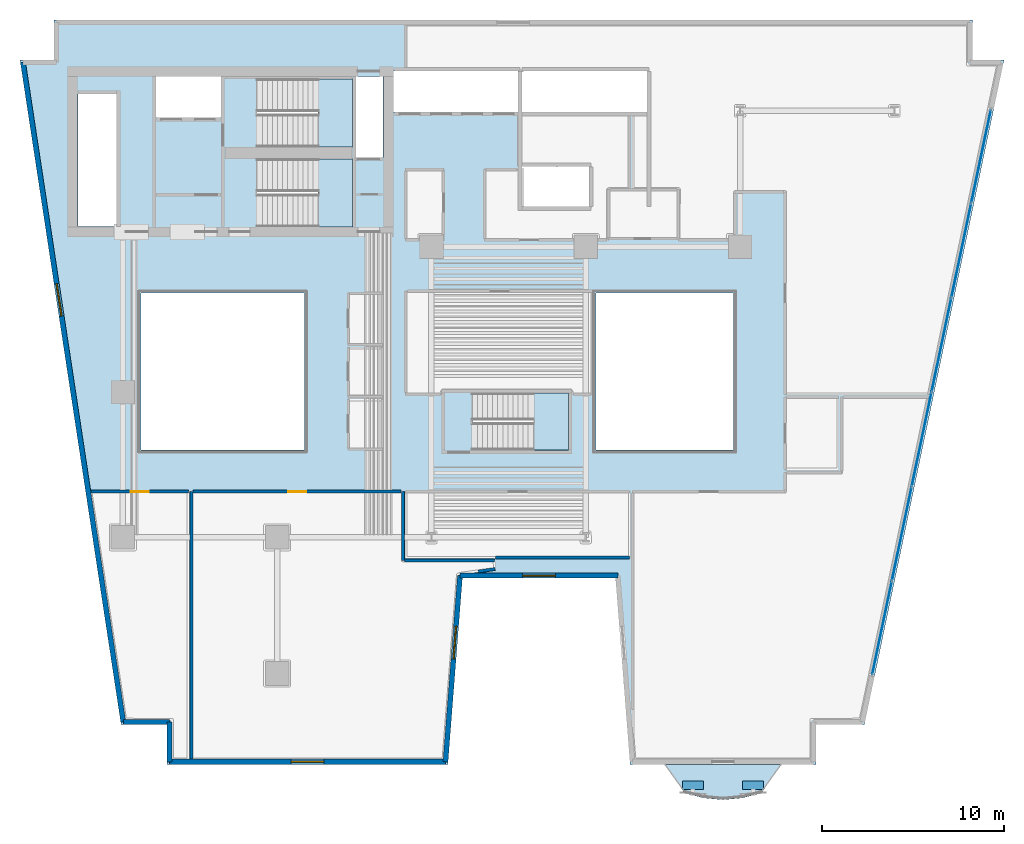
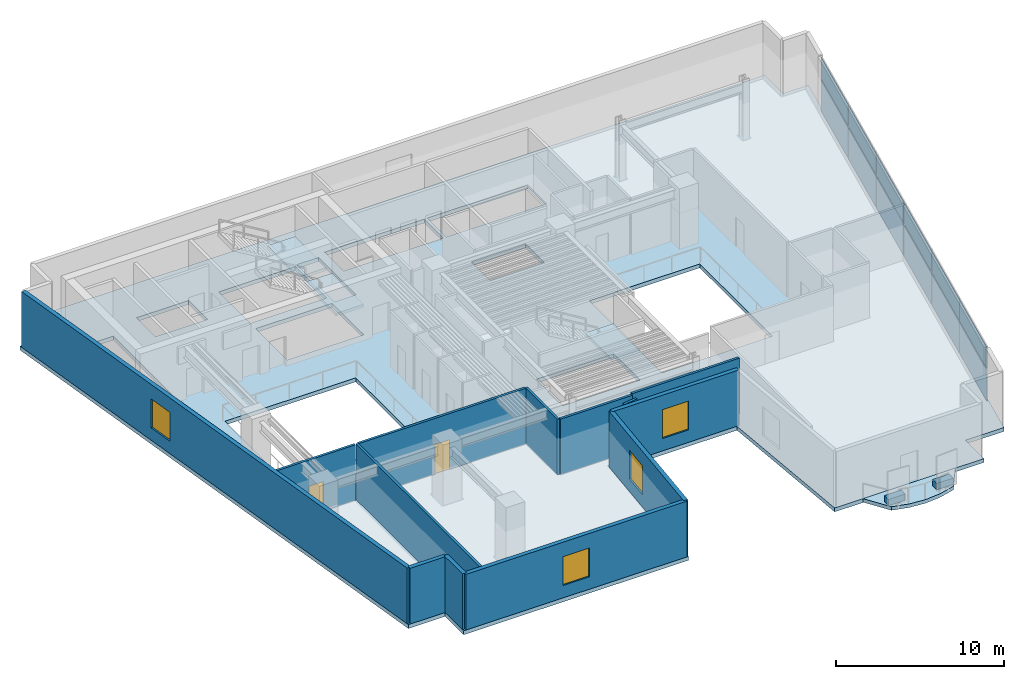
# One storey, part 3 of 11: 14 plates, 13 walls, 5 slabs, 4 windows, 2 doors, 6 openings, 4 elements without a shape of their own.
"""IFC4 building model written with IfcOpenShell, lengths in metres."""

import ifcopenshell
import ifcopenshell.guid

model = None  # the IFC model being written
_history = None  # IfcOwnerHistory: only IFC2X3 demands one
_inside = {}  # id of a spatial element -> (the spatial element, [elements in it])
_under = {}  # id of a project, library or spatial element -> (it, [spatial elements below it])
_declared = {}  # id of a project -> (the project, [libraries it declares])
_typed = {}  # id of a type object -> (the type object, [elements of that type])
_made_of = {}  # id of a material, layer set ... -> (it, [elements and type objects made of it])


def new_model(schema):
    """Start an empty IFC model of exactly this schema.

    Asked for "IFC4X3", IfcOpenShell would pick the latest addendum, in which some entities
    have other attributes; the version numbers below select the first issue.
    IFC2X3 requires an IfcOwnerHistory on every rooted entity: one is made here for all.
    """
    global model, _history
    if schema == "IFC4X3":
        model = ifcopenshell.file(schema_version=(4, 3, 0, 0))
    else:
        model = ifcopenshell.file(schema=schema)
    _inside.clear()
    _under.clear()
    _declared.clear()
    _typed.clear()
    _made_of.clear()
    _history = None
    if model.schema == "IFC2X3":
        org = make("IfcOrganization", Name="unknown")
        user = make(
            "IfcPersonAndOrganization",
            ThePerson=make("IfcPerson", FamilyName="unknown"),
            TheOrganization=org,
        )
        app = make(
            "IfcApplication",
            ApplicationDeveloper=org,
            Version="unknown",
            ApplicationFullName="unknown",
            ApplicationIdentifier="unknown",
        )
        _history = make(
            "IfcOwnerHistory",
            OwningUser=user,
            OwningApplication=app,
            ChangeAction="ADDED",
            CreationDate=0,
        )
    return model


def make(cls, **values):
    """One entity of the class cls with the attributes given. An attribute that is None is left unset."""
    return model.create_entity(
        cls, **{name: value for name, value in values.items() if value is not None}
    )


def rooted(cls, **values):
    """An entity with a GlobalId (a new one), such as an element, a storey or a relation."""
    return make(cls, GlobalId=ifcopenshell.guid.new(), OwnerHistory=_history, **values)


def si_unit(unit_type, name, prefix=None):
    """IfcSIUnit, for example si_unit("LENGTHUNIT", "METRE", prefix="MILLI")."""
    return make("IfcSIUnit", UnitType=unit_type, Prefix=prefix, Name=name)


def assignment(units):
    """IfcUnitAssignment: the units of a project."""
    return None if units is None else make("IfcUnitAssignment", Units=units)


def point(xyz):
    """IfcCartesianPoint."""
    return None if xyz is None else make("IfcCartesianPoint", Coordinates=xyz)


def direction(xyz):
    """IfcDirection."""
    return None if xyz is None else make("IfcDirection", DirectionRatios=xyz)


def frame(location, z_axis=None, x_axis=None):
    """IfcAxis2Placement3D, a coordinate frame: its origin and axes. An axis left out is left unset."""
    return make(
        "IfcAxis2Placement3D",
        Location=point(location),
        Axis=direction(z_axis),
        RefDirection=direction(x_axis),
    )


def frame_2d(location, x_axis=None):
    """IfcAxis2Placement2D, a coordinate frame in the plane: its origin and x axis."""
    return make(
        "IfcAxis2Placement2D", Location=point(location), RefDirection=direction(x_axis)
    )


def origin():
    """The frame at (0, 0, 0) with its axes left unset."""
    return frame((0.0, 0.0, 0.0))


def origin_2d():
    """The frame at (0, 0) in the plane with its x axis left unset."""
    return frame_2d((0.0, 0.0))


def place(relative_to, where):
    """IfcLocalPlacement: puts the frame where relative to a parent placement (None: the world)."""
    return make(
        "IfcLocalPlacement", PlacementRelTo=relative_to, RelativePlacement=where
    )


def context(
    kind, dimensions, precision=None, world=None, true_north=None, identifier=None
):
    """IfcGeometricRepresentationContext, for example the 3D "Model" context."""
    return make(
        "IfcGeometricRepresentationContext",
        ContextIdentifier=identifier,
        ContextType=kind,
        CoordinateSpaceDimension=dimensions,
        Precision=precision,
        WorldCoordinateSystem=world,
        TrueNorth=true_north,
    )


def subcontext(parent, identifier, kind, view, scale=None):
    """IfcGeometricRepresentationSubContext, for example "Body" below "Model"."""
    return make(
        "IfcGeometricRepresentationSubContext",
        ContextIdentifier=identifier,
        ContextType=kind,
        ParentContext=parent,
        TargetScale=scale,
        TargetView=view,
    )


def project(units=None, contexts=None):
    """IfcProject with its units and contexts."""
    return rooted(
        "IfcProject",
        Name="project",
        RepresentationContexts=contexts,
        UnitsInContext=assignment(units),
    )


def spatial(cls, under=None, at=None, **own):
    """A site, building, storey or space (cls), placed at a placement, below another one or the project."""
    s = rooted(cls, ObjectPlacement=at, **own)
    if under is not None:
        _under.setdefault(under.id(), (under, []))[1].append(s)
    return s


def polyline(points):
    """IfcPolyline through the points."""
    return make("IfcPolyline", Points=[point(p) for p in points])


def profile(cls, at=None, kind="AREA", **sizes):
    """A parametric profile (cls). Its sizes go by their IFC names, for example OverallWidth=200.0."""
    return make(cls, ProfileType=kind, Position=at, **sizes)


def rectangle(**sizes):
    """IfcRectangleProfileDef."""
    return profile("IfcRectangleProfileDef", **sizes)


def outline(outer, holes=None, kind="AREA"):
    """IfcArbitraryClosedProfileDef: a profile drawn as a closed curve; with holes, ...WithVoids."""
    if holes is None:
        return make("IfcArbitraryClosedProfileDef", ProfileType=kind, OuterCurve=outer)
    return make(
        "IfcArbitraryProfileDefWithVoids",
        ProfileType=kind,
        OuterCurve=outer,
        InnerCurves=holes,
    )


def extrude(swept, where, along, depth):
    """IfcExtrudedAreaSolid: the profile swept, set in the frame where, extruded along a direction by depth."""
    return make(
        "IfcExtrudedAreaSolid",
        SweptArea=swept,
        Position=where,
        ExtrudedDirection=direction(along),
        Depth=depth,
    )


def shape(context_of_items, identifier, shape_type, items):
    """IfcShapeRepresentation: the items that make up one representation, for example the "Body"."""
    return make(
        "IfcShapeRepresentation",
        ContextOfItems=context_of_items,
        RepresentationIdentifier=identifier,
        RepresentationType=shape_type,
        Items=items,
    )


def material(Name=None, Category=None):
    """IfcMaterial."""
    return make("IfcMaterial", Name=Name, Category=Category)


def layer(
    of_material, thickness, ventilated=None, Name=None, Category=None, Priority=None
):
    """IfcMaterialLayer: one layer of a wall or slab, of a material (None: an air gap)."""
    return make(
        "IfcMaterialLayer",
        Material=of_material,
        LayerThickness=thickness,
        IsVentilated=ventilated,
        Name=Name,
        Category=Category,
        Priority=Priority,
    )


def layer_set(layers, Name=None):
    """IfcMaterialLayerSet."""
    return make("IfcMaterialLayerSet", MaterialLayers=layers, LayerSetName=Name)


def made_of(thing, what):
    """Note that an element or type object is made of a material, layer set ...; save() writes the relation."""
    if what is not None:
        _made_of.setdefault(what.id(), (what, []))[1].append(thing)
    return thing


def type_object(cls, material=None, **own):
    """A type object (cls), such as IfcWallType, which elements share."""
    return made_of(rooted(cls, **own), material)


def element(
    cls,
    number,
    at=None,
    inside=None,
    cuts=None,
    type_object=None,
    material=None,
    context=None,
    identifier="Body",
    shape_type=None,
    held_by="IfcProductDefinitionShape",
    body=None,
    shapes=None,
    **own,
):
    """One element of the class cls, such as IfcWall. Its Tag is "e" and its number.

    at: its placement. inside: the storey or other place that contains it. cuts: it is an
    opening in that element (IfcRelVoidsElement). A single representation is given by context,
    identifier, shape_type and body (its items); several are given by shapes. held_by: the class
    of the entity that holds the representations. save() writes the other relations.
    """
    e = rooted(cls, Tag="e%d" % number, ObjectPlacement=at, **own)
    if body is not None:
        shapes = [shape(context, identifier, shape_type, body)]
    if shapes is not None:
        e.Representation = make(held_by, Representations=shapes)
    if inside is not None:
        _inside.setdefault(inside.id(), (inside, []))[1].append(e)
    if cuts is not None:
        rooted(
            "IfcRelVoidsElement", RelatingBuildingElement=cuts, RelatedOpeningElement=e
        )
    if type_object is not None:
        _typed.setdefault(type_object.id(), (type_object, []))[1].append(e)
    return made_of(e, material)


def fill(opening, filler):
    """IfcRelFillsElement: the door or window that sits in an opening."""
    return rooted(
        "IfcRelFillsElement",
        RelatingOpeningElement=opening,
        RelatedBuildingElement=filler,
    )


def aggregate(whole, parts):
    """IfcRelAggregates: a whole, such as a stair, and the parts it consists of."""
    return rooted("IfcRelAggregates", RelatingObject=whole, RelatedObjects=parts)


def save(model, path):
    """Write the relations noted so far, then the file.

    IfcRelAggregates (storeys below a building ...), IfcRelContainedInSpatialStructure (elements
    in a storey), IfcRelDefinesByType, IfcRelAssociatesMaterial and IfcRelDeclares: one each for
    every whole, place, type object, material and project.
    """
    for whole, parts in _under.values():
        aggregate(whole, parts)
    for where, things in _inside.values():
        rooted(
            "IfcRelContainedInSpatialStructure",
            RelatedElements=things,
            RelatingStructure=where,
        )
    for kind, things in _typed.values():
        rooted("IfcRelDefinesByType", RelatedObjects=things, RelatingType=kind)
    for what, things in _made_of.values():
        rooted("IfcRelAssociatesMaterial", RelatedObjects=things, RelatingMaterial=what)
    for by, libraries in _declared.values():
        rooted("IfcRelDeclares", RelatingContext=by, RelatedDefinitions=libraries)
    model.write(path)


model = new_model("IFC4")

# Units and contexts
model_context = context("Model", 3, precision=1e-05, world=origin(), true_north=direction((0.0, 1.0)))
body_context = subcontext(model_context, "Body", "Model", "MODEL_VIEW")
ifc_project = project(units=[si_unit("LENGTHUNIT", "METRE"), si_unit("AREAUNIT", "SQUARE_METRE"), si_unit("VOLUMEUNIT", "CUBIC_METRE"), si_unit("PLANEANGLEUNIT", "RADIAN"), si_unit("MASSUNIT", "GRAM", prefix="KILO")], contexts=[model_context])

# Site, building, storey
site_placement = place(None, origin())
site = spatial("IfcSite", under=ifc_project, at=site_placement, CompositionType="ELEMENT")
building_placement = place(site_placement, origin())
building = spatial("IfcBuilding", under=site, at=building_placement, Name="Caeloran Harvest Quay", CompositionType="ELEMENT")
storey_placement = place(building_placement, frame((0.0, 0.0, 101.800048828125)))
storey = spatial("IfcBuildingStorey", under=building, at=storey_placement, Name="L23", CompositionType="ELEMENT", Elevation=101.800048828125)

# Slab
ifc_material_1 = material(Name="Concrete C50/60", Category="concrete")
ifc_layer_1 = layer(ifc_material_1, 0.260009765625, Name="Concrete C50/60")
ifc_layer_set_1 = layer_set([ifc_layer_1], Name="Concrete C50/60")
slab_type_1 = type_object("IfcSlabType", Name="BALCONY-BL-260", PredefinedType="FLOOR", material=ifc_layer_set_1)
slab_1_placement = place(storey_placement, frame((0.0, 0.0, -0.260009765625)))
element("IfcSlab", 1, at=slab_1_placement, inside=storey, type_object=slab_type_1, Name="L23 Scalloped Cantilevered Planted Balcony Slab", PredefinedType="FLOOR", context=body_context, shape_type="SweptSolid", body=[
    extrude(outline(polyline([(43.686767578125, 0.917236328125), (42.622802734375, 0.644287109375), (41.55859375, 0.544189453125), (40.494384765625, 0.644287109375), (39.43017578125, 0.917236328125), (38.37939453125, 2.5), (44.73779296875, 2.5), (43.686767578125, 0.917236328125)])), origin(), (0.0, 0.0, 1.0), 0.260009765625),
])

# Curtain wall, plates
ifc_material_2 = material(Name="Aluminium 6063-T6 and Low-E Glazing", Category="aluminium")
ifc_layer_2 = layer(ifc_material_2, 0.199951171875, Name="Aluminium 6063-T6 and Low-E Glazing")
ifc_layer_set_2 = layer_set([ifc_layer_2], Name="Aluminium 6063-T6 and Low-E Glazing")
curtain_wall_type = type_object("IfcCurtainWallType", Name="CW-SYS-CW-2", PredefinedType="USERDEFINED", material=ifc_layer_set_2)
curtain_wall_placement = place(storey_placement, origin())
curtain_wall = element("IfcCurtainWall", 2, at=curtain_wall_placement, inside=storey, type_object=curtain_wall_type, Name="L23 Unitised Curtain Wall CW-2 Run 9", ObjectType="CURTAIN_WALL", PredefinedType="USERDEFINED")
ifc_material_3 = material(Name="Low-E Double Glazed Vision Glass Unit", Category="glass")
ifc_layer_3 = layer(ifc_material_3, 0.035888671875, Name="Low-E Double Glazed Vision Glass Unit")
ifc_layer_set_3 = layer_set([ifc_layer_3], Name="Low-E Double Glazed Vision Glass Unit")
plate_type_1 = type_object("IfcPlateType", Name="CW-VISION-PANEL", PredefinedType="CURTAIN_PANEL", material=ifc_layer_set_3)
plate_1_placement = place(storey_placement, frame((55.780029296875, 35.993408203125, 0.080078125), z_axis=(0.0, 0.0, 1.0), x_axis=(-0.205582960081, -0.978639691881, 0.0)))
plate_1 = element("IfcPlate", 3, at=plate_1_placement, type_object=plate_type_1, Name="CW-2 panel 1.1", PredefinedType="CURTAIN_PANEL", context=body_context, shape_type="SweptSolid", body=[
    extrude(rectangle(XDim=5.19873046875, YDim=0.035888671875, at=origin_2d()), origin(), (0.0, 0.0, 1.0), 2.280029296875),
])
plate_2_placement = place(storey_placement, frame((55.780029296875, 35.993408203125, 2.43994140625), z_axis=(0.0, 0.0, 1.0), x_axis=(-0.205582960081, -0.978639691881, 0.0)))
plate_2 = element("IfcPlate", 4, at=plate_2_placement, type_object=plate_type_1, Name="CW-2 panel 1.2", PredefinedType="CURTAIN_PANEL", context=body_context, shape_type="SweptSolid", body=[
    extrude(rectangle(XDim=5.19873046875, YDim=0.035888671875, at=origin_2d()), origin(), (0.0, 0.0, 1.0), 1.530029296875),
])
plate_3_placement = place(storey_placement, frame((54.690673828125, 30.807861328125, 0.080078125), z_axis=(0.0, 0.0, 1.0), x_axis=(-0.205582960081, -0.978639691881, 0.0)))
plate_3 = element("IfcPlate", 5, at=plate_3_placement, type_object=plate_type_1, Name="CW-2 panel 2.1", PredefinedType="CURTAIN_PANEL", context=body_context, shape_type="SweptSolid", body=[
    extrude(rectangle(XDim=5.23876953125, YDim=0.035888671875, at=origin_2d()), origin(), (0.0, 0.0, 1.0), 2.280029296875),
])
plate_4_placement = place(storey_placement, frame((54.690673828125, 30.807861328125, 2.43994140625), z_axis=(0.0, 0.0, 1.0), x_axis=(-0.205582960081, -0.978639691881, 0.0)))
plate_4 = element("IfcPlate", 6, at=plate_4_placement, type_object=plate_type_1, Name="CW-2 panel 2.2", PredefinedType="CURTAIN_PANEL", context=body_context, shape_type="SweptSolid", body=[
    extrude(rectangle(XDim=5.23876953125, YDim=0.035888671875, at=origin_2d()), origin(), (0.0, 0.0, 1.0), 1.530029296875),
])
plate_5_placement = place(storey_placement, frame((53.59716796875, 25.6025390625, 0.080078125), z_axis=(0.0, 0.0, 1.0), x_axis=(-0.205582960081, -0.978639691881, 0.0)))
plate_5 = element("IfcPlate", 7, at=plate_5_placement, type_object=plate_type_1, Name="CW-2 panel 3.1", PredefinedType="CURTAIN_PANEL", context=body_context, shape_type="SweptSolid", body=[
    extrude(rectangle(XDim=5.23876953125, YDim=0.035888671875, at=origin_2d()), origin(), (0.0, 0.0, 1.0), 2.280029296875),
])
plate_6_placement = place(storey_placement, frame((53.59716796875, 25.6025390625, 2.43994140625), z_axis=(0.0, 0.0, 1.0), x_axis=(-0.205582960081, -0.978639691881, 0.0)))
plate_6 = element("IfcPlate", 8, at=plate_6_placement, type_object=plate_type_1, Name="CW-2 panel 3.2", PredefinedType="CURTAIN_PANEL", context=body_context, shape_type="SweptSolid", body=[
    extrude(rectangle(XDim=5.23876953125, YDim=0.035888671875, at=origin_2d()), origin(), (0.0, 0.0, 1.0), 1.530029296875),
])
plate_7_placement = place(storey_placement, frame((52.503662109375, 20.3974609375, 0.080078125), z_axis=(0.0, 0.0, 1.0), x_axis=(-0.205582960081, -0.978639691881, 0.0)))
plate_7 = element("IfcPlate", 9, at=plate_7_placement, type_object=plate_type_1, Name="CW-2 panel 4.1", PredefinedType="CURTAIN_PANEL", context=body_context, shape_type="SweptSolid", body=[
    extrude(rectangle(XDim=5.23876953125, YDim=0.035888671875, at=origin_2d()), origin(), (0.0, 0.0, 1.0), 2.280029296875),
])
plate_8_placement = place(storey_placement, frame((52.503662109375, 20.3974609375, 2.43994140625), z_axis=(0.0, 0.0, 1.0), x_axis=(-0.205582960081, -0.978639691881, 0.0)))
plate_8 = element("IfcPlate", 10, at=plate_8_placement, type_object=plate_type_1, Name="CW-2 panel 4.2", PredefinedType="CURTAIN_PANEL", context=body_context, shape_type="SweptSolid", body=[
    extrude(rectangle(XDim=5.23876953125, YDim=0.035888671875, at=origin_2d()), origin(), (0.0, 0.0, 1.0), 1.530029296875),
])
plate_9_placement = place(storey_placement, frame((51.41015625, 15.192138671875, 0.080078125), z_axis=(0.0, 0.0, 1.0), x_axis=(-0.205582960081, -0.978639691881, 0.0)))
plate_9 = element("IfcPlate", 11, at=plate_9_placement, type_object=plate_type_1, Name="CW-2 panel 5.1", PredefinedType="CURTAIN_PANEL", context=body_context, shape_type="SweptSolid", body=[
    extrude(rectangle(XDim=5.23876953125, YDim=0.035888671875, at=origin_2d()), origin(), (0.0, 0.0, 1.0), 2.280029296875),
])
plate_10_placement = place(storey_placement, frame((51.41015625, 15.192138671875, 2.43994140625), z_axis=(0.0, 0.0, 1.0), x_axis=(-0.205582960081, -0.978639691881, 0.0)))
plate_10 = element("IfcPlate", 12, at=plate_10_placement, type_object=plate_type_1, Name="CW-2 panel 5.2", PredefinedType="CURTAIN_PANEL", context=body_context, shape_type="SweptSolid", body=[
    extrude(rectangle(XDim=5.23876953125, YDim=0.035888671875, at=origin_2d()), origin(), (0.0, 0.0, 1.0), 1.530029296875),
])
plate_11_placement = place(storey_placement, frame((50.321044921875, 10.006591796875, 0.080078125), z_axis=(0.0, 0.0, 1.0), x_axis=(-0.205582960081, -0.978639691881, 0.0)))
plate_11 = element("IfcPlate", 13, at=plate_11_placement, type_object=plate_type_1, Name="CW-2 panel 6.1", PredefinedType="CURTAIN_PANEL", context=body_context, shape_type="SweptSolid", body=[
    extrude(rectangle(XDim=5.19873046875, YDim=0.035888671875, at=origin_2d()), origin(), (0.0, 0.0, 1.0), 2.280029296875),
])
plate_12_placement = place(storey_placement, frame((50.321044921875, 10.006591796875, 2.43994140625), z_axis=(0.0, 0.0, 1.0), x_axis=(-0.205582960081, -0.978639691881, 0.0)))
plate_12 = element("IfcPlate", 14, at=plate_12_placement, type_object=plate_type_1, Name="CW-2 panel 6.2", PredefinedType="CURTAIN_PANEL", context=body_context, shape_type="SweptSolid", body=[
    extrude(rectangle(XDim=5.19873046875, YDim=0.035888671875, at=origin_2d()), origin(), (0.0, 0.0, 1.0), 1.530029296875),
])
aggregate(curtain_wall, [plate_1, plate_2, plate_3, plate_4, plate_5, plate_6, plate_7, plate_8, plate_9, plate_10, plate_11, plate_12])

# Plates
ifc_material_4 = material(Name="Precast concrete C50/60", Category="concrete")
ifc_layer_4 = layer(ifc_material_4, 0.449951171875, Name="Precast concrete C50/60")
ifc_layer_set_4 = layer_set([ifc_layer_4], Name="Precast concrete C50/60")
plate_type_2 = type_object("IfcPlateType", Name="PLANTER-TROUGH-450", PredefinedType="USERDEFINED", material=ifc_layer_set_4)
for number, where, z_axis, x_axis, name in (
    (15, (43.218505859375, 1.3408203125, 0.0), (0.0, 0.0, 1.0), (1.0, 0.0, 0.0), "L23 Balcony Vertical-Greenery Precast PLANTER Trough 1"),
    (16, (39.8984375, 1.3408203125, 0.0), (0.0, 0.0, 1.0), (1.0, 0.0, 0.0), "L23 Balcony Vertical-Greenery Precast PLANTER Trough 2"),
):
    element("IfcPlate", number, at=place(storey_placement, frame(where, z_axis=z_axis, x_axis=x_axis)), inside=storey, type_object=plate_type_2, Name=name, ObjectType="PLANTER", PredefinedType="USERDEFINED", context=body_context, shape_type="SweptSolid", body=[
        extrude(rectangle(XDim=1.14990234375, YDim=0.47998046875, at=origin_2d()), origin(), (0.0, 0.0, 1.0), 0.449951171875),
    ])

# Slab
ifc_layer_5 = layer(ifc_material_1, 0.284912109375, Name="Concrete C50/60")
ifc_layer_set_5 = layer_set([ifc_layer_5], Name="Concrete C50/60")
slab_type_2 = type_object("IfcSlabType", Name="SLAB-FS-285", PredefinedType="FLOOR", material=ifc_layer_set_5)
slab_2_placement = place(storey_placement, frame((0.0, 0.0, -0.28515625)))
element("IfcSlab", 17, at=slab_2_placement, inside=storey, type_object=slab_type_2, Name="L23 Structural Floor Slab", PredefinedType="FLOOR", context=body_context, shape_type="SweptSolid", body=[
    extrude(outline(polyline([(10.93701171875, 2.5), (26.403076171875, 2.5), (27.202880859375, 12.75), (35.640380859375, 12.75), (36.4404296875, 2.5), (46.68701171875, 2.5), (46.68701171875, 4.699951171875), (49.34912109375, 4.699951171875), (57.037841796875, 41.300048828125), (55.300048828125, 41.300048828125), (55.300048828125, 43.5), (4.699951171875, 43.5), (4.699951171875, 41.300048828125), (2.834716796875, 41.300048828125), (8.40234375, 4.699951171875), (10.93701171875, 4.699951171875), (10.93701171875, 2.5)]), holes=[polyline([(18.5, 19.800048828125), (9.5, 19.800048828125), (9.5, 28.449951171875), (18.5, 28.449951171875), (18.5, 19.800048828125)]), polyline([(15.89990234375, 32.10009765625), (15.89990234375, 35.85009765625), (21.14990234375, 35.85009765625), (21.14990234375, 32.10009765625), (15.89990234375, 32.10009765625)]), polyline([(8.159912109375, 32.1201171875), (6.02001953125, 32.1201171875), (6.02001953125, 39.419921875), (8.159912109375, 39.419921875), (8.159912109375, 32.1201171875)]), polyline([(21.35009765625, 35.919921875), (21.35009765625, 40.3798828125), (22.830078125, 40.3798828125), (22.830078125, 35.919921875), (21.35009765625, 35.919921875)]), polyline([(15.89990234375, 40.25), (21.14990234375, 40.25), (21.14990234375, 36.5), (15.89990234375, 36.5), (15.89990234375, 40.25)]), polyline([(13.89990234375, 38.1201171875), (10.320068359375, 38.1201171875), (10.320068359375, 40.3798828125), (13.89990234375, 40.3798828125), (13.89990234375, 38.1201171875)]), polyline([(27.75, 22.949951171875), (33.050048828125, 22.949951171875), (33.050048828125, 19.800048828125), (27.75, 19.800048828125), (27.75, 22.949951171875)]), polyline([(34.550048828125, 19.800048828125), (34.550048828125, 28.449951171875), (42.14990234375, 28.449951171875), (42.14990234375, 19.800048828125), (34.550048828125, 19.800048828125)]), polyline([(34.199951171875, 33.219970703125), (30.47998046875, 33.219970703125), (30.47998046875, 35.429931640625), (34.199951171875, 35.429931640625), (34.199951171875, 33.219970703125)]), polyline([(23.419921875, 38.419921875), (23.419921875, 40.679931640625), (30.280029296875, 40.679931640625), (30.280029296875, 38.419921875), (23.419921875, 38.419921875)]), polyline([(30.47998046875, 38.419921875), (30.47998046875, 40.679931640625), (37.3798828125, 40.679931640625), (37.3798828125, 38.419921875), (30.47998046875, 38.419921875)])]), origin(), (0.0, 0.0, 1.0), 0.28515625),
])

# Stair, slab
stair_type_1 = type_object("IfcStairType", Name="STAIR-STC-180", PredefinedType="HALF_TURN_STAIR", material=ifc_material_1)
stair_1_placement = place(storey_placement, origin())
stair_1 = element("IfcStair", 18, at=stair_1_placement, inside=storey, type_object=stair_type_1, Name="L23 Core Pressurized Exit Stair ST-C1", PredefinedType="HALF_TURN_STAIR")
ifc_layer_6 = layer(ifc_material_1, 0.219970703125, Name="Concrete C50/60")
ifc_layer_set_6 = layer_set([ifc_layer_6], Name="Concrete C50/60")
slab_type_3 = type_object("IfcSlabType", Name="STAIR-LANDING-220", PredefinedType="LANDING", material=ifc_layer_set_6)
slab_3_placement = place(storey_placement, frame((0.0, 0.0, 2.0)))
slab_3 = element("IfcSlab", 19, at=slab_3_placement, type_object=slab_type_3, Name="ST-C1 landing 1", PredefinedType="LANDING", context=body_context, shape_type="SweptSolid", body=[
    extrude(outline(polyline([(19.260009765625, 36.5), (21.14990234375, 36.5), (21.14990234375, 40.25), (19.260009765625, 40.25), (19.260009765625, 36.5)])), origin(), (0.0, 0.0, 1.0), 0.199951171875),
])
aggregate(stair_1, [slab_3])

stair_2_placement = place(storey_placement, origin())
stair_2 = element("IfcStair", 20, at=stair_2_placement, inside=storey, type_object=stair_type_1, Name="L23 Core Pressurized Exit Stair ST-C2", PredefinedType="HALF_TURN_STAIR")
slab_4_placement = place(storey_placement, frame((0.0, 0.0, 2.0)))
slab_4 = element("IfcSlab", 21, at=slab_4_placement, type_object=slab_type_3, Name="ST-C2 landing 1", PredefinedType="LANDING", context=body_context, shape_type="SweptSolid", body=[
    extrude(outline(polyline([(19.260009765625, 32.10009765625), (21.14990234375, 32.10009765625), (21.14990234375, 35.85009765625), (19.260009765625, 35.85009765625), (19.260009765625, 32.10009765625)])), origin(), (0.0, 0.0, 1.0), 0.199951171875),
])
aggregate(stair_2, [slab_4])

stair_type_2 = type_object("IfcStairType", Name="STAIR-STW-150", PredefinedType="HALF_TURN_STAIR", material=ifc_material_1)
stair_3_placement = place(storey_placement, origin())
stair_3 = element("IfcStair", 22, at=stair_3_placement, inside=storey, type_object=stair_type_2, Name="L23 East Wing Protected Exit Stair ST-W1", PredefinedType="HALF_TURN_STAIR")
slab_5_placement = place(storey_placement, frame((0.0, 0.0, 2.0)))
slab_5 = element("IfcSlab", 23, at=slab_5_placement, type_object=slab_type_3, Name="ST-W1 landing 1", PredefinedType="LANDING", context=body_context, shape_type="SweptSolid", body=[
    extrude(outline(polyline([(31.110107421875, 19.800048828125), (33.050048828125, 19.800048828125), (33.050048828125, 22.949951171875), (31.110107421875, 22.949951171875), (31.110107421875, 19.800048828125)])), origin(), (0.0, 0.0, 1.0), 0.199951171875),
])
aggregate(stair_3, [slab_5])

# Walls
ifc_layer_7 = layer(ifc_material_4, 0.280029296875, Name="Precast concrete C50/60")
ifc_layer_set_7 = layer_set([ifc_layer_7], Name="Precast concrete C50/60")
wall_type_1 = type_object("IfcWallType", Name="ENV-WALL-EW-280", PredefinedType="STANDARD", material=ifc_layer_set_7)
wall_1_placement = place(storey_placement, frame((11.076904296875, 2.639892578125, 0.0), z_axis=(0.0, 0.0, 1.0), x_axis=(0.0, 1.0, 0.0)))
element("IfcWall", 24, at=wall_1_placement, inside=storey, type_object=wall_type_1, Name="L23 Exterior Precast Concrete Facade Wall 1", PredefinedType="STANDARD", context=body_context, shape_type="SweptSolid", body=[
    extrude(rectangle(XDim=2.2001953125, YDim=0.280029296875, at=frame_2d((1.10009765625, 0.0))), origin(), (0.0, 0.0, 1.0), 4.050048828125),
])
wall_2_placement = place(storey_placement, frame((11.076904296875, 4.840087890625, 0.0), z_axis=(0.0, 0.0, 1.0), x_axis=(-1.0, 0.0, 0.0)))
element("IfcWall", 25, at=wall_2_placement, inside=storey, type_object=wall_type_1, Name="L23 Exterior Precast Concrete Facade Wall 2", PredefinedType="STANDARD", context=body_context, shape_type="SweptSolid", body=[
    extrude(rectangle(XDim=2.55419921875, YDim=0.280029296875, at=frame_2d((1.277099609375, 0.0))), origin(), (0.0, 0.0, 1.0), 4.050048828125),
])

# Wall, opening, window
wall_3_placement = place(storey_placement, frame((8.522705078125, 4.840087890625, 0.0), z_axis=(0.0, 0.0, 1.0), x_axis=(-0.150394554312, 0.988626055712, 0.0)))
wall_3 = element("IfcWall", 26, at=wall_3_placement, inside=storey, type_object=wall_type_1, Name="L23 Exterior Precast Concrete Facade Wall 3", PredefinedType="STANDARD", context=body_context, shape_type="SweptSolid", body=[
    extrude(rectangle(XDim=36.73779296875, YDim=0.280029296875, at=frame_2d((18.368896484375, 0.0))), origin(), (0.0, 0.0, 1.0), 4.050048828125),
])
opening_1_placement = place(wall_3_placement, frame((22.612060546875, 0.0, 0.89990234375)))
opening_1 = element("IfcOpeningElement", 27, at=opening_1_placement, cuts=wall_3, Name="Opening W-01", PredefinedType="OPENING", context=body_context, shape_type="SweptSolid", body=[
    extrude(rectangle(XDim=1.800048828125, YDim=2.10009765625, at=frame_2d((0.89990234375, 1.050048828125))), frame((0.0, 0.14990234375, 0.0), z_axis=(0.0, -1.0, 0.0), x_axis=(1.0, 0.0, 0.0)), (0.0, 0.0, 1.0), 0.300048828125),
])
ifc_material_5 = material(Name="Aluminium-Framed Low-E Laminated Glass", Category="aluminium")
window_type = type_object("IfcWindowType", Name="WIN-W-01", PartitioningType="SINGLE_PANEL", PredefinedType="WINDOW", material=ifc_material_5)
window_1_placement = place(opening_1_placement, origin())
window_1 = element("IfcWindow", 28, at=window_1_placement, inside=storey, type_object=window_type, Name="L23 Facade Punched Window W-01", OverallHeight=2.10009765625, OverallWidth=1.800048828125, PartitioningType="SINGLE_PANEL", PredefinedType="WINDOW", context=body_context, shape_type="SweptSolid", body=[
    extrude(rectangle(XDim=1.800048828125, YDim=2.10009765625, at=frame_2d((0.89990234375, 1.050048828125))), frame((0.0, 0.030029296875, 0.0), z_axis=(0.0, -1.0, 0.0), x_axis=(1.0, 0.0, 0.0)), (0.0, 0.0, 1.0), 0.06005859375),
])
fill(opening_1, window_1)

wall_4_placement = place(storey_placement, frame((35.77001953125, 12.889892578125, 0.0), z_axis=(0.0, 0.0, 1.0), x_axis=(-1.0, 0.0, 0.0)))
wall_4 = element("IfcWall", 29, at=wall_4_placement, inside=storey, type_object=wall_type_1, Name="L23 Exterior Precast Concrete Facade Wall 14", PredefinedType="STANDARD", context=body_context, shape_type="SweptSolid", body=[
    extrude(rectangle(XDim=8.696533203125, YDim=0.280029296875, at=frame_2d((4.34814453125, 0.0))), origin(), (0.0, 0.0, 1.0), 4.050048828125),
])
opening_2_placement = place(wall_4_placement, frame((3.447998046875, 0.0, 0.89990234375)))
opening_2 = element("IfcOpeningElement", 30, at=opening_2_placement, cuts=wall_4, Name="Opening W-01", PredefinedType="OPENING", context=body_context, shape_type="SweptSolid", body=[
    extrude(rectangle(XDim=1.800048828125, YDim=2.10009765625, at=frame_2d((0.89990234375, 1.050048828125))), frame((0.0, 0.14990234375, 0.0), z_axis=(0.0, -1.0, 0.0), x_axis=(1.0, 0.0, 0.0)), (0.0, 0.0, 1.0), 0.300048828125),
])
window_2_placement = place(opening_2_placement, origin())
window_2 = element("IfcWindow", 31, at=window_2_placement, inside=storey, type_object=window_type, Name="L23 Facade Punched Window W-01", OverallHeight=2.10009765625, OverallWidth=1.800048828125, PartitioningType="SINGLE_PANEL", PredefinedType="WINDOW", context=body_context, shape_type="SweptSolid", body=[
    extrude(rectangle(XDim=1.800048828125, YDim=2.10009765625, at=frame_2d((0.89990234375, 1.050048828125))), frame((0.0, 0.030029296875, 0.0), z_axis=(0.0, -1.0, 0.0), x_axis=(1.0, 0.0, 0.0)), (0.0, 0.0, 1.0), 0.06005859375),
])
fill(opening_2, window_2)

wall_5_placement = place(storey_placement, frame((27.073486328125, 12.889892578125, 0.0), z_axis=(0.0, 0.0, 1.0), x_axis=(-0.077816860153, -0.996967670627, 0.0)))
wall_5 = element("IfcWall", 32, at=wall_5_placement, inside=storey, type_object=wall_type_1, Name="L23 Exterior Precast Concrete Facade Wall 15", PredefinedType="STANDARD", context=body_context, shape_type="SweptSolid", body=[
    extrude(rectangle(XDim=10.28125, YDim=0.280029296875, at=frame_2d((5.140625, 0.0))), origin(), (0.0, 0.0, 1.0), 4.050048828125),
])
opening_3_placement = place(wall_5_placement, frame((2.801025390625, 0.0, 0.89990234375)))
opening_3 = element("IfcOpeningElement", 33, at=opening_3_placement, cuts=wall_5, Name="Opening W-01", PredefinedType="OPENING", context=body_context, shape_type="SweptSolid", body=[
    extrude(rectangle(XDim=1.800048828125, YDim=2.10009765625, at=frame_2d((0.89990234375, 1.050048828125))), frame((0.0, 0.14990234375, 0.0), z_axis=(0.0, -1.0, 0.0), x_axis=(1.0, 0.0, 0.0)), (0.0, 0.0, 1.0), 0.300048828125),
])
window_3_placement = place(opening_3_placement, origin())
window_3 = element("IfcWindow", 34, at=window_3_placement, inside=storey, type_object=window_type, Name="L23 Facade Punched Window W-01", OverallHeight=2.10009765625, OverallWidth=1.800048828125, PartitioningType="SINGLE_PANEL", PredefinedType="WINDOW", context=body_context, shape_type="SweptSolid", body=[
    extrude(rectangle(XDim=1.800048828125, YDim=2.10009765625, at=frame_2d((0.89990234375, 1.050048828125))), frame((0.0, 0.030029296875, 0.0), z_axis=(0.0, -1.0, 0.0), x_axis=(1.0, 0.0, 0.0)), (0.0, 0.0, 1.0), 0.06005859375),
])
fill(opening_3, window_3)

wall_6_placement = place(storey_placement, frame((26.2734375, 2.639892578125, 0.0), z_axis=(0.0, 0.0, 1.0), x_axis=(-1.0, 0.0, 0.0)))
wall_6 = element("IfcWall", 35, at=wall_6_placement, inside=storey, type_object=wall_type_1, Name="L23 Exterior Precast Concrete Facade Wall 16", PredefinedType="STANDARD", context=body_context, shape_type="SweptSolid", body=[
    extrude(rectangle(XDim=15.196533203125, YDim=0.280029296875, at=frame_2d((7.59814453125, 0.0))), origin(), (0.0, 0.0, 1.0), 4.050048828125),
])
opening_4_placement = place(wall_6_placement, frame((6.697998046875, 0.0, 0.89990234375)))
opening_4 = element("IfcOpeningElement", 36, at=opening_4_placement, cuts=wall_6, Name="Opening W-01", PredefinedType="OPENING", context=body_context, shape_type="SweptSolid", body=[
    extrude(rectangle(XDim=1.800048828125, YDim=2.10009765625, at=frame_2d((0.89990234375, 1.050048828125))), frame((0.0, 0.14990234375, 0.0), z_axis=(0.0, -1.0, 0.0), x_axis=(1.0, 0.0, 0.0)), (0.0, 0.0, 1.0), 0.300048828125),
])
window_4_placement = place(opening_4_placement, origin())
window_4 = element("IfcWindow", 37, at=window_4_placement, inside=storey, type_object=window_type, Name="L23 Facade Punched Window W-01", OverallHeight=2.10009765625, OverallWidth=1.800048828125, PartitioningType="SINGLE_PANEL", PredefinedType="WINDOW", context=body_context, shape_type="SweptSolid", body=[
    extrude(rectangle(XDim=1.800048828125, YDim=2.10009765625, at=frame_2d((0.89990234375, 1.050048828125))), frame((0.0, 0.030029296875, 0.0), z_axis=(0.0, -1.0, 0.0), x_axis=(1.0, 0.0, 0.0)), (0.0, 0.0, 1.0), 0.06005859375),
])
fill(opening_4, window_4)

# Walls
ifc_material_6 = material(Name="Autoclaved Aerated Concrete Blockwork", Category="masonry")
ifc_layer_8 = layer(ifc_material_6, 0.1650390625, Name="Autoclaved Aerated Concrete Blockwork")
ifc_layer_set_8 = layer_set([ifc_layer_8], Name="Autoclaved Aerated Concrete Blockwork")
wall_type_2 = type_object("IfcWallType", Name="INT-WALL-PW-165", PredefinedType="PARTITIONING", material=ifc_layer_set_8)
wall_7_placement = place(storey_placement, frame((23.919921875, 17.52001953125, 0.0), z_axis=(0.0, 0.0, 1.0), x_axis=(0.0, -1.0, 0.0)))
element("IfcWall", 38, at=wall_7_placement, inside=storey, type_object=wall_type_2, Name="Executive Agronomy Design Studio Partition Wall", PredefinedType="PARTITIONING", context=body_context, shape_type="SweptSolid", body=[
    extrude(rectangle(XDim=3.800048828125, YDim=0.1650390625, at=frame_2d((1.89990234375, 0.0))), origin(), (0.0, 0.0, 1.0), 4.050048828125),
])
wall_8_placement = place(storey_placement, frame((24.007568359375, 13.719970703125, 0.0), z_axis=(0.0, 0.0, 1.0), x_axis=(1.0, 0.0, 0.0)))
element("IfcWall", 39, at=wall_8_placement, inside=storey, type_object=wall_type_2, Name="Executive Agronomy Design Studio Partition Wall", PredefinedType="PARTITIONING", context=body_context, shape_type="SweptSolid", body=[
    extrude(rectangle(XDim=4.96337890625, YDim=0.1650390625, at=frame_2d((2.481689453125, 0.0))), origin(), (0.0, 0.0, 1.0), 4.050048828125),
])
wall_9_placement = place(storey_placement, frame((29.0048828125, 13.262939453125, 0.0), z_axis=(0.0, 0.0, 1.0), x_axis=(-0.988919061759, -0.148455681233, 0.0)))
element("IfcWall", 40, at=wall_9_placement, inside=storey, type_object=wall_type_2, Name="Executive Agronomy Design Studio Partition Wall", PredefinedType="PARTITIONING", context=body_context, shape_type="SweptSolid", body=[
    extrude(rectangle(XDim=0.932373046875, YDim=0.1650390625, at=frame_2d((0.46630859375, 0.0))), origin(), (0.0, 0.0, 1.0), 4.050048828125),
])
wall_10_placement = place(storey_placement, frame((12.280029296875, 2.784912109375, 0.0), z_axis=(0.0, 0.0, 1.0), x_axis=(0.0, 1.0, 0.0)))
element("IfcWall", 41, at=wall_10_placement, inside=storey, type_object=wall_type_2, Name="Executive Agronomy Design Studio Partition Wall", PredefinedType="PARTITIONING", context=body_context, shape_type="SweptSolid", body=[
    extrude(rectangle(XDim=14.735107421875, YDim=0.1650390625, at=frame_2d((7.36767578125, 0.0))), origin(), (0.0, 0.0, 1.0), 4.050048828125),
])

# Wall, opening, door
wall_11_placement = place(storey_placement, frame((12.367431640625, 17.52001953125, 0.0), z_axis=(0.0, 0.0, 1.0), x_axis=(1.0, 0.0, 0.0)))
wall_11 = element("IfcWall", 42, at=wall_11_placement, inside=storey, type_object=wall_type_2, Name="Executive Agronomy Design Studio Partition Wall", PredefinedType="PARTITIONING", context=body_context, shape_type="SweptSolid", body=[
    extrude(rectangle(XDim=11.465087890625, YDim=0.1650390625, at=frame_2d((5.732421875, 0.0))), origin(), (0.0, 0.0, 1.0), 4.050048828125),
])
opening_5_placement = place(wall_11_placement, frame((5.232421875, 0.0, 0.0)))
opening_5 = element("IfcOpeningElement", 43, at=opening_5_placement, cuts=wall_11, Name="Opening ID-01", PredefinedType="OPENING", context=body_context, shape_type="SweptSolid", body=[
    extrude(rectangle(XDim=1.0, YDim=2.14990234375, at=frame_2d((0.5, 1.074951171875))), frame((0.0, 0.092529296875, 0.0), z_axis=(0.0, -1.0, 0.0), x_axis=(1.0, 0.0, 0.0)), (0.0, 0.0, 1.0), 0.18505859375),
])
ifc_material_7 = material(Name="FSC Solid-Core Ash Timber and Acoustic Seal", Category="wood")
door_type = type_object("IfcDoorType", Name="INTDOOR-ID-01", OperationType="NOTDEFINED", PredefinedType="DOOR", material=ifc_material_7)
door_1_placement = place(opening_5_placement, origin())
door_1 = element("IfcDoor", 44, at=door_1_placement, inside=storey, type_object=door_type, Name="Executive Agronomy Design Studio Access Door", OperationType="SINGLE_SWING_RIGHT", OverallHeight=2.14990234375, OverallWidth=1.0, PredefinedType="DOOR", context=body_context, shape_type="SweptSolid", body=[
    extrude(rectangle(XDim=1.0, YDim=2.14990234375, at=frame_2d((0.5, 1.074951171875))), frame((0.0, 0.02490234375, 0.0), z_axis=(0.0, -1.0, 0.0), x_axis=(1.0, 0.0, 0.0)), (0.0, 0.0, 1.0), 0.050048828125),
])
fill(opening_5, door_1)

wall_12_placement = place(storey_placement, frame((6.740478515625, 17.52001953125, 0.0), z_axis=(0.0, 0.0, 1.0), x_axis=(1.0, 0.0, 0.0)))
wall_12 = element("IfcWall", 45, at=wall_12_placement, inside=storey, type_object=wall_type_2, Name="Regional Food Policy Boardroom Partition Wall", PredefinedType="PARTITIONING", context=body_context, shape_type="SweptSolid", body=[
    extrude(rectangle(XDim=5.379638671875, YDim=0.1650390625, at=frame_2d((2.68994140625, 0.0))), origin(), (0.0, 0.0, 1.0), 4.050048828125),
])
opening_6_placement = place(wall_12_placement, frame((2.189697265625, 0.0, 0.0)))
opening_6 = element("IfcOpeningElement", 46, at=opening_6_placement, cuts=wall_12, Name="Opening ID-01", PredefinedType="OPENING", context=body_context, shape_type="SweptSolid", body=[
    extrude(rectangle(XDim=1.0, YDim=2.14990234375, at=frame_2d((0.5, 1.074951171875))), frame((0.0, 0.092529296875, 0.0), z_axis=(0.0, -1.0, 0.0), x_axis=(1.0, 0.0, 0.0)), (0.0, 0.0, 1.0), 0.18505859375),
])
door_2_placement = place(opening_6_placement, origin())
door_2 = element("IfcDoor", 47, at=door_2_placement, inside=storey, type_object=door_type, Name="Regional Food Policy Boardroom Access Door", OperationType="SINGLE_SWING_LEFT", OverallHeight=2.14990234375, OverallWidth=1.0, PredefinedType="DOOR", context=body_context, shape_type="SweptSolid", body=[
    extrude(rectangle(XDim=1.0, YDim=2.14990234375, at=frame_2d((0.5, 1.074951171875))), frame((0.0, 0.02490234375, 0.0), z_axis=(0.0, -1.0, 0.0), x_axis=(1.0, 0.0, 0.0)), (0.0, 0.0, 1.0), 0.050048828125),
])
fill(opening_6, door_2)

# Wall
wall_13_placement = place(storey_placement, frame((36.419921875, 13.8798828125, 0.0), z_axis=(0.0, 0.0, 1.0), x_axis=(-1.0, 0.0, 0.0)))
element("IfcWall", 48, at=wall_13_placement, inside=storey, type_object=wall_type_2, Name="Client Briefing Conference Room Partition Wall", PredefinedType="PARTITIONING", context=body_context, shape_type="SweptSolid", body=[
    extrude(rectangle(XDim=7.39501953125, YDim=0.1650390625, at=frame_2d((3.697509765625, 0.0))), origin(), (0.0, 0.0, 1.0), 4.050048828125),
])

save(model, "model.ifc")
